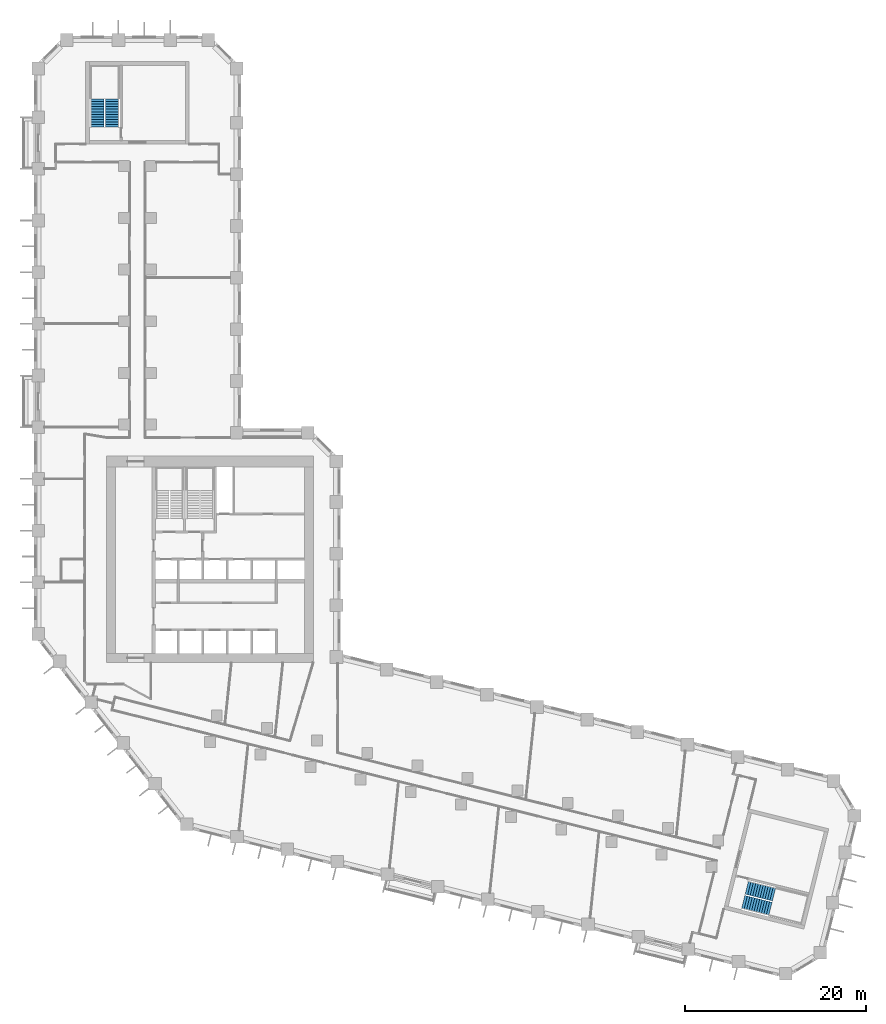
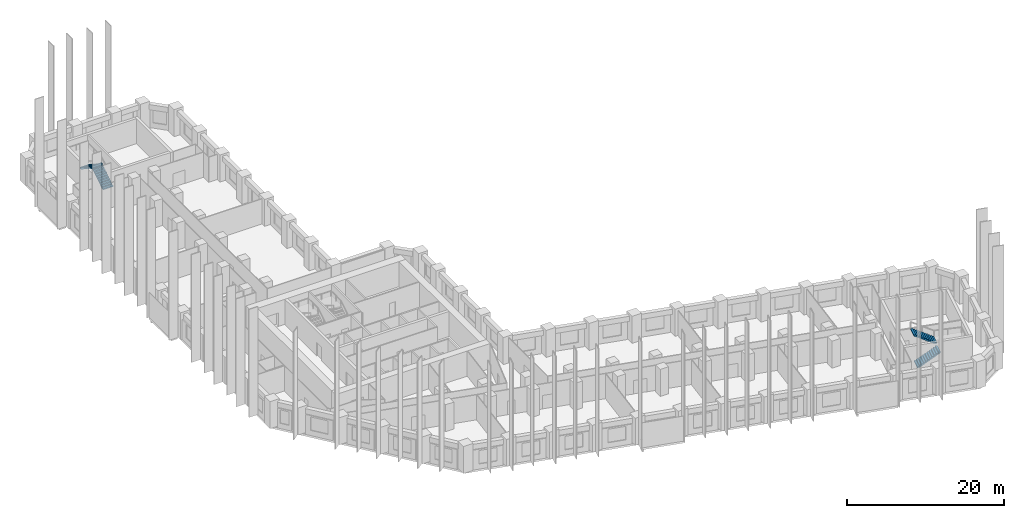
# One storey, part 10 of 11: 4 stair flights, 2 elements without a shape of their own.
"""IFC4 building model written with IfcOpenShell, lengths in metres."""

from ifc_helpers import new_model, si_unit, direction, frame, origin, place, context, subcontext, project, spatial, polyline, outline, extrude, material, type_object, element, aggregate, save


model = new_model("IFC4")

# Units and contexts
model_context = context("Model", 3, precision=1e-05, world=origin(), true_north=direction((0.0, 1.0)))
body_context = subcontext(model_context, "Body", "Model", "MODEL_VIEW")
ifc_project = project(units=[si_unit("LENGTHUNIT", "METRE"), si_unit("AREAUNIT", "SQUARE_METRE"), si_unit("VOLUMEUNIT", "CUBIC_METRE"), si_unit("PLANEANGLEUNIT", "RADIAN"), si_unit("MASSUNIT", "GRAM", prefix="KILO")], contexts=[model_context])

# Site, building, storey
site_placement = place(None, origin())
site = spatial("IfcSite", under=ifc_project, at=site_placement, CompositionType="ELEMENT")
building_placement = place(site_placement, origin())
building = spatial("IfcBuilding", under=site, at=building_placement, Name="Meshkara Civic Tower", CompositionType="ELEMENT")
storey_placement = place(building_placement, frame((0.0, 0.0, 49.800048828125)))
storey = spatial("IfcBuildingStorey", under=building, at=storey_placement, Name="L10", CompositionType="ELEMENT", Elevation=49.800048828125)

# Stair, stair flights
ifc_material_1 = material(Name="Precast concrete C40/50", Category="concrete")
stair_type = type_object("IfcStairType", Name="Exit stair half-turn 24 risers 1500 precast", PredefinedType="HALF_TURN_STAIR", material=ifc_material_1)
stair_1_placement = place(storey_placement, origin())
stair_1 = element("IfcStair", 1, at=stair_1_placement, inside=storey, type_object=stair_type, Name="L10 exit stair A from B2", PredefinedType="HALF_TURN_STAIR")
ifc_material_2 = material(Name="Precast concrete C40/50", Category="concrete")
stair_flight_type = type_object("IfcStairFlightType", Name="Exit stair flight 12 risers 1500 precast", PredefinedType="STRAIGHT", material=ifc_material_2)
stair_flight_1_placement = place(storey_placement, frame((8.625, 73.169921875, 0.0), z_axis=(0.0, 0.0, 1.0), x_axis=(0.0, 1.0, 0.0)))
stair_flight_1 = element("IfcStairFlight", 2, at=stair_flight_1_placement, type_object=stair_flight_type, Name="ESA1 flight 1", NumberOfRisers=12, NumberOfTreads=11, PredefinedType="STRAIGHT", RiserHeight=0.175, TreadLength=0.28, context=body_context, shape_type="SweptSolid", body=[
    extrude(outline(polyline([(0.0, 0.0), (0.0, 0.175048828125), (0.280029296875, 0.175048828125), (0.280029296875, 0.35009765625), (0.56005859375, 0.35009765625), (0.56005859375, 0.52490234375), (0.840087890625, 0.52490234375), (0.840087890625, 0.699951171875), (1.1201171875, 0.699951171875), (1.1201171875, 0.875), (1.39990234375, 0.875), (1.39990234375, 1.050048828125), (1.679931640625, 1.050048828125), (1.679931640625, 1.22509765625), (1.9599609375, 1.22509765625), (1.9599609375, 1.39990234375), (2.239990234375, 1.39990234375), (2.239990234375, 1.574951171875), (2.52001953125, 1.574951171875), (2.52001953125, 1.75), (2.800048828125, 1.75), (2.800048828125, 1.925048828125), (3.080078125, 1.925048828125), (3.080078125, 2.10009765625), (3.080078125, 1.748291015625), (0.28271484375, 0.0), (0.0, 0.0)])), frame((0.0, 0.75, 0.0), z_axis=(0.0, -1.0, 0.0), x_axis=(1.0, 0.0, 0.0)), (0.0, 0.0, 1.0), 1.5),
])
stair_flight_2_placement = place(storey_placement, frame((6.97509765625, 76.25, 2.099853515625), z_axis=(0.0, 0.0, 1.0), x_axis=(0.0, -1.0, 0.0)))
stair_flight_2 = element("IfcStairFlight", 3, at=stair_flight_2_placement, type_object=stair_flight_type, Name="ESA1 flight 2", NumberOfRisers=12, NumberOfTreads=11, PredefinedType="STRAIGHT", RiserHeight=0.175, TreadLength=0.28, context=body_context, shape_type="SweptSolid", body=[
    extrude(outline(polyline([(0.0, 0.0), (0.0, 0.175048828125), (0.280029296875, 0.175048828125), (0.280029296875, 0.35009765625), (0.56005859375, 0.35009765625), (0.56005859375, 0.52490234375), (0.840087890625, 0.52490234375), (0.840087890625, 0.699951171875), (1.1201171875, 0.699951171875), (1.1201171875, 0.875), (1.39990234375, 0.875), (1.39990234375, 1.050048828125), (1.679931640625, 1.050048828125), (1.679931640625, 1.22509765625), (1.9599609375, 1.22509765625), (1.9599609375, 1.39990234375), (2.239990234375, 1.39990234375), (2.239990234375, 1.574951171875), (2.52001953125, 1.574951171875), (2.52001953125, 1.75), (2.800048828125, 1.75), (2.800048828125, 1.925048828125), (3.080078125, 1.925048828125), (3.080078125, 2.10009765625), (3.080078125, 1.748291015625), (0.28271484375, 0.0), (0.0, 0.0)])), frame((0.0, 0.75, 0.0), z_axis=(0.0, -1.0, 0.0), x_axis=(1.0, 0.0, 0.0)), (0.0, 0.0, 1.0), 1.5),
])
aggregate(stair_1, [stair_flight_1, stair_flight_2])

stair_2_placement = place(storey_placement, origin())
stair_2 = element("IfcStair", 4, at=stair_2_placement, inside=storey, type_object=stair_type, Name="L10 exit stair B from B2", PredefinedType="HALF_TURN_STAIR")
stair_flight_3_placement = place(storey_placement, frame((78.214599609375, -12.3125, 0.0), z_axis=(0.0, 0.0, 1.0), x_axis=(0.970260066579, -0.242064873955, 0.0)))
stair_flight_3 = element("IfcStairFlight", 5, at=stair_flight_3_placement, type_object=stair_flight_type, Name="ESB1 flight 1", NumberOfRisers=12, NumberOfTreads=11, PredefinedType="STRAIGHT", RiserHeight=0.175, TreadLength=0.28, context=body_context, shape_type="SweptSolid", body=[
    extrude(outline(polyline([(0.0, 0.0), (0.0, 0.175048828125), (0.280029296875, 0.175048828125), (0.280029296875, 0.35009765625), (0.56005859375, 0.35009765625), (0.56005859375, 0.52490234375), (0.840087890625, 0.52490234375), (0.840087890625, 0.699951171875), (1.1201171875, 0.699951171875), (1.1201171875, 0.875), (1.39990234375, 0.875), (1.39990234375, 1.050048828125), (1.679931640625, 1.050048828125), (1.679931640625, 1.22509765625), (1.9599609375, 1.22509765625), (1.9599609375, 1.39990234375), (2.239990234375, 1.39990234375), (2.239990234375, 1.574951171875), (2.52001953125, 1.574951171875), (2.52001953125, 1.75), (2.800048828125, 1.75), (2.800048828125, 1.925048828125), (3.080078125, 1.925048828125), (3.080078125, 2.10009765625), (3.080078125, 1.748291015625), (0.28271484375, 0.0), (0.0, 0.0)])), frame((0.0, 0.75, 0.0), z_axis=(0.0, -1.0, 0.0), x_axis=(1.0, 0.0, 0.0)), (0.0, 0.0, 1.0), 1.5),
])
stair_flight_4_placement = place(storey_placement, frame((81.6025390625, -11.457275390625, 2.099853515625), z_axis=(0.0, 0.0, 1.0), x_axis=(-0.970260066579, 0.242064873955, 0.0)))
stair_flight_4 = element("IfcStairFlight", 6, at=stair_flight_4_placement, type_object=stair_flight_type, Name="ESB1 flight 2", NumberOfRisers=12, NumberOfTreads=11, PredefinedType="STRAIGHT", RiserHeight=0.175, TreadLength=0.28, context=body_context, shape_type="SweptSolid", body=[
    extrude(outline(polyline([(0.0, 0.0), (0.0, 0.175048828125), (0.280029296875, 0.175048828125), (0.280029296875, 0.35009765625), (0.56005859375, 0.35009765625), (0.56005859375, 0.52490234375), (0.840087890625, 0.52490234375), (0.840087890625, 0.699951171875), (1.1201171875, 0.699951171875), (1.1201171875, 0.875), (1.39990234375, 0.875), (1.39990234375, 1.050048828125), (1.679931640625, 1.050048828125), (1.679931640625, 1.22509765625), (1.9599609375, 1.22509765625), (1.9599609375, 1.39990234375), (2.239990234375, 1.39990234375), (2.239990234375, 1.574951171875), (2.52001953125, 1.574951171875), (2.52001953125, 1.75), (2.800048828125, 1.75), (2.800048828125, 1.925048828125), (3.080078125, 1.925048828125), (3.080078125, 2.10009765625), (3.080078125, 1.748291015625), (0.28271484375, 0.0), (0.0, 0.0)])), frame((0.0, 0.75, 0.0), z_axis=(0.0, -1.0, 0.0), x_axis=(1.0, 0.0, 0.0)), (0.0, 0.0, 1.0), 1.5),
])
aggregate(stair_2, [stair_flight_3, stair_flight_4])

save(model, "model.ifc")
